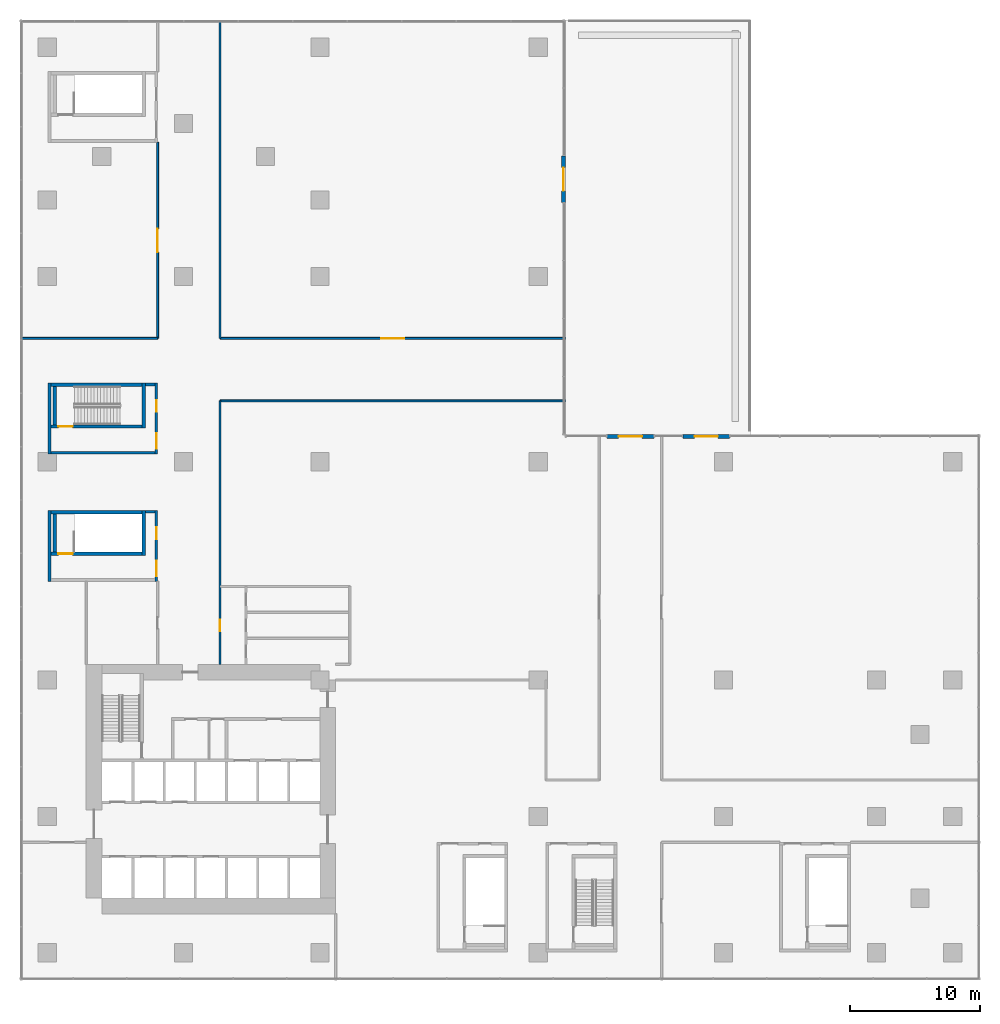
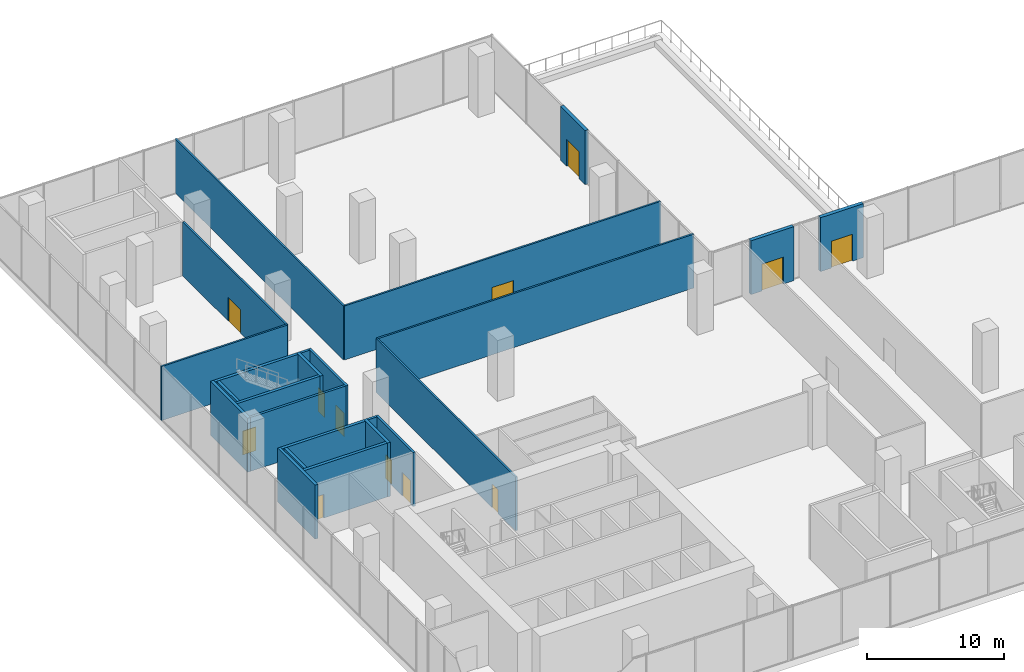
# One storey, part 15 of 21: 24 walls, 12 doors, 12 openings.
"""IFC4 building model written with IfcOpenShell, lengths in metres."""

from ifc_helpers import new_model, si_unit, direction, frame, frame_2d, origin, place, context, subcontext, project, spatial, rectangle, extrude, source, transform, mapped, material, layer, layer_set, type_object, element, fill, save


model = new_model("IFC4")

# Units and contexts
model_context = context("Model", 3, precision=1e-05, world=origin(), true_north=direction((0.0, 1.0)))
body_context = subcontext(model_context, "Body", "Model", "MODEL_VIEW")
ifc_project = project(units=[si_unit("LENGTHUNIT", "METRE"), si_unit("AREAUNIT", "SQUARE_METRE"), si_unit("VOLUMEUNIT", "CUBIC_METRE"), si_unit("PLANEANGLEUNIT", "RADIAN"), si_unit("MASSUNIT", "GRAM", prefix="KILO")], contexts=[model_context])

# Site, building, storey
site_placement = place(None, origin())
site = spatial("IfcSite", under=ifc_project, at=site_placement, CompositionType="ELEMENT")
building_placement = place(site_placement, origin())
building = spatial("IfcBuilding", under=site, at=building_placement, Name="Aurelian Terraces", CompositionType="ELEMENT")
storey_placement = place(building_placement, frame((0.0, 0.0, 29.1)))
storey = spatial("IfcBuildingStorey", under=building, at=storey_placement, Name="L05", CompositionType="ELEMENT", Elevation=29.1)

# Wall
ifc_material_1 = material(Name="Gypsum board on steel studs", Category="steel")
ifc_layer_1 = layer(ifc_material_1, 0.15)
ifc_layer_set_1 = layer_set([ifc_layer_1], Name="Special partition 150")
wall_type_1 = type_object("IfcWallType", Name="Special partition 150", PredefinedType="PARTITIONING", material=ifc_layer_set_1)
wall_1_placement = place(storey_placement, frame((13.3, 42.5, 0.0), z_axis=(0.0, 0.0, 1.0), x_axis=(1.0, 0.0, 0.0)))
element("IfcWall", 1, at=wall_1_placement, inside=storey, type_object=wall_type_1, Name="L05 partition W11", PredefinedType="PARTITIONING", context=body_context, shape_type="SweptSolid", body=[
    extrude(rectangle(XDim=26.6, YDim=0.15, at=frame_2d((13.3, 0.0))), origin(), (0.0, 0.0, 1.0), 4.8),
])

# Wall, opening, door
ifc_material_2 = material(Name="Terracotta rainscreen cladding", Category="masonry")
ifc_layer_2 = layer(ifc_material_2, 0.3)
ifc_layer_set_2 = layer_set([ifc_layer_2], Name="EW-300")
wall_type_2 = type_object("IfcWallType", Name="EW-300", PredefinedType="STANDARD", material=ifc_layer_set_2)
shared_shape_1 = source(origin(), body_context, "Body", "SweptSolid", [
    extrude(rectangle(XDim=3.6, YDim=0.3, at=frame_2d((1.8, 0.0))), origin(), (0.0, 0.0, 1.0), 4.8),
])
wall_2_placement = place(storey_placement, frame((52.54, 39.75, 0.0), z_axis=(0.0, 0.0, 1.0), x_axis=(-1.0, 0.0, 0.0)))
wall_2 = element("IfcWall", 2, at=wall_2_placement, inside=storey, type_object=wall_type_2, Name="Terrace wall L05 F03", PredefinedType="STANDARD", context=body_context, shape_type="MappedRepresentation", body=[
    mapped(shared_shape_1, transform((0.0, 0.0, 0.0), scale=1.0)),
])
shared_shape_2 = source(origin(), body_context, "Body", "SweptSolid", [
    extrude(rectangle(XDim=1.8, YDim=2.4, at=frame_2d((0.9, 1.2))), frame((0.0, 0.16, 0.0), z_axis=(0.0, -1.0, 0.0), x_axis=(1.0, 0.0, 0.0)), (0.0, 0.0, 1.0), 0.32),
])
opening_1_placement = place(wall_2_placement, frame((0.9, 0.0, 0.0)))
opening_1 = element("IfcOpeningElement", 3, at=opening_1_placement, cuts=wall_2, Name="Opening 80501", PredefinedType="OPENING", context=body_context, shape_type="MappedRepresentation", body=[
    mapped(shared_shape_2, transform((0.0, 0.0, 0.0), scale=1.0)),
])
ifc_material_3 = material(Name="Clear glazing", Category="glass")
door_type_1 = type_object("IfcDoorType", Name="BD-1800x2400", OperationType="SLIDING_TO_LEFT", PredefinedType="DOOR", material=ifc_material_3)
shared_shape_3 = source(origin(), body_context, "Body", "SweptSolid", [
    extrude(rectangle(XDim=1.8, YDim=2.4, at=frame_2d((0.9, 1.2))), frame((0.0, 0.025, 0.0), z_axis=(0.0, -1.0, 0.0), x_axis=(1.0, 0.0, 0.0)), (0.0, 0.0, 1.0), 0.05),
])
door_1_placement = place(opening_1_placement, origin())
door_1 = element("IfcDoor", 4, at=door_1_placement, inside=storey, type_object=door_type_1, Name="Terrace door L05 F03", OperationType="SLIDING_TO_LEFT", OverallHeight=2.4, OverallWidth=1.8, PredefinedType="DOOR", context=body_context, shape_type="MappedRepresentation", body=[
    mapped(shared_shape_3, transform((0.0, 0.0, 0.0), scale=1.0)),
])
fill(opening_1, door_1)

wall_3_placement = place(storey_placement, frame((46.7, 39.75, 0.0), z_axis=(0.0, 0.0, 1.0), x_axis=(-1.0, 0.0, 0.0)))
wall_3 = element("IfcWall", 5, at=wall_3_placement, inside=storey, type_object=wall_type_2, Name="Terrace wall L05 F03", PredefinedType="STANDARD", context=body_context, shape_type="MappedRepresentation", body=[
    mapped(shared_shape_1, transform((0.0, 0.0, 0.0), scale=1.0)),
])
opening_2_placement = place(wall_3_placement, frame((0.9, 0.0, 0.0)))
opening_2 = element("IfcOpeningElement", 6, at=opening_2_placement, cuts=wall_3, Name="Opening 80502", PredefinedType="OPENING", context=body_context, shape_type="MappedRepresentation", body=[
    mapped(shared_shape_2, transform((0.0, 0.0, 0.0), scale=1.0)),
])
door_2_placement = place(opening_2_placement, origin())
door_2 = element("IfcDoor", 7, at=door_2_placement, inside=storey, type_object=door_type_1, Name="Terrace door L05 F03", OperationType="SLIDING_TO_LEFT", OverallHeight=2.4, OverallWidth=1.8, PredefinedType="DOOR", context=body_context, shape_type="MappedRepresentation", body=[
    mapped(shared_shape_3, transform((0.0, 0.0, 0.0), scale=1.0)),
])
fill(opening_2, door_2)

wall_4_placement = place(storey_placement, frame((39.75, 57.76, 0.0), z_axis=(0.0, 0.0, 1.0), x_axis=(0.0, 1.0, 0.0)))
wall_4 = element("IfcWall", 8, at=wall_4_placement, inside=storey, type_object=wall_type_2, Name="Terrace wall L05 F04", PredefinedType="STANDARD", context=body_context, shape_type="MappedRepresentation", body=[
    mapped(shared_shape_1, transform((0.0, 0.0, 0.0), scale=1.0)),
])
opening_3_placement = place(wall_4_placement, frame((0.9, 0.0, 0.0)))
opening_3 = element("IfcOpeningElement", 9, at=opening_3_placement, cuts=wall_4, Name="Opening 80503", PredefinedType="OPENING", context=body_context, shape_type="MappedRepresentation", body=[
    mapped(shared_shape_2, transform((0.0, 0.0, 0.0), scale=1.0)),
])
door_3_placement = place(opening_3_placement, origin())
door_3 = element("IfcDoor", 10, at=door_3_placement, inside=storey, type_object=door_type_1, Name="Terrace door L05 F04", OperationType="SLIDING_TO_LEFT", OverallHeight=2.4, OverallWidth=1.8, PredefinedType="DOOR", context=body_context, shape_type="MappedRepresentation", body=[
    mapped(shared_shape_3, transform((0.0, 0.0, 0.0), scale=1.0)),
])
fill(opening_3, door_3)

ifc_material_4 = material(Name="Concrete fc' 40 MPa", Category="concrete")
ifc_layer_3 = layer(ifc_material_4, 0.25)
ifc_layer_set_3 = layer_set([ifc_layer_3], Name="Stair enclosure wall 250")
wall_type_3 = type_object("IfcWallType", Name="Stair enclosure wall 250", PredefinedType="SOLIDWALL", material=ifc_layer_set_3)
shared_shape_4 = source(origin(), body_context, "Body", "SweptSolid", [
    extrude(rectangle(XDim=7.0, YDim=0.25, at=frame_2d((3.5, 0.0))), origin(), (0.0, 0.0, 1.0), 4.8),
])
wall_5_placement = place(storey_placement, frame((0.3, 40.525, 0.0), z_axis=(0.0, 0.0, 1.0), x_axis=(1.0, 0.0, 0.0)))
wall_5 = element("IfcWall", 11, at=wall_5_placement, inside=storey, type_object=wall_type_3, Name="L05 core wall ST-S3-W", PredefinedType="SOLIDWALL", context=body_context, shape_type="MappedRepresentation", body=[
    mapped(shared_shape_4, transform((0.0, 0.0, 0.0), scale=1.0)),
])
shared_shape_5 = source(origin(), body_context, "Body", "SweptSolid", [
    extrude(rectangle(XDim=1.1, YDim=2.1, at=frame_2d((0.55, 1.05))), frame((0.0, 0.135, 0.0), z_axis=(0.0, -1.0, 0.0), x_axis=(1.0, 0.0, 0.0)), (0.0, 0.0, 1.0), 0.27),
])
opening_4_placement = place(wall_5_placement, frame((0.55, 0.0, 0.0)))
opening_4 = element("IfcOpeningElement", 12, at=opening_4_placement, cuts=wall_5, Name="Opening 60817", PredefinedType="OPENING", context=body_context, shape_type="MappedRepresentation", body=[
    mapped(shared_shape_5, transform((0.0, 0.0, 0.0), scale=1.0)),
])
ifc_material_5 = material(Name="Steel door leaf", Category="steel")
door_type_2 = type_object("IfcDoorType", Name="Core fire door 1100x2100 right", OperationType="SINGLE_SWING_RIGHT", PredefinedType="DOOR", material=ifc_material_5)
shared_shape_6 = source(origin(), body_context, "Body", "SweptSolid", [
    extrude(rectangle(XDim=1.1, YDim=2.1, at=frame_2d((0.55, 1.05))), frame((0.0, 0.025, 0.0), z_axis=(0.0, -1.0, 0.0), x_axis=(1.0, 0.0, 0.0)), (0.0, 0.0, 1.0), 0.05),
])
door_4_placement = place(opening_4_placement, origin())
door_4 = element("IfcDoor", 13, at=door_4_placement, inside=storey, type_object=door_type_2, Name="Stair door 60817", OperationType="SINGLE_SWING_RIGHT", OverallHeight=2.1, OverallWidth=1.1, PredefinedType="DOOR", context=body_context, shape_type="MappedRepresentation", body=[
    mapped(shared_shape_6, transform((0.0, 0.0, 0.0), scale=1.0)),
])
fill(opening_4, door_4)

# Wall
wall_6_placement = place(storey_placement, frame((0.3, 43.725, 0.0), z_axis=(0.0, 0.0, 1.0), x_axis=(1.0, 0.0, 0.0)))
element("IfcWall", 14, at=wall_6_placement, inside=storey, type_object=wall_type_3, Name="L05 core wall ST-S3-E", PredefinedType="SOLIDWALL", context=body_context, shape_type="MappedRepresentation", body=[
    mapped(shared_shape_4, transform((0.0, 0.0, 0.0), scale=1.0)),
])

# Wall, opening, door
wall_7_placement = place(storey_placement, frame((0.3, 30.725, 0.0), z_axis=(0.0, 0.0, 1.0), x_axis=(1.0, 0.0, 0.0)))
wall_7 = element("IfcWall", 15, at=wall_7_placement, inside=storey, type_object=wall_type_3, Name="L05 core wall ST-S4-W", PredefinedType="SOLIDWALL", context=body_context, shape_type="MappedRepresentation", body=[
    mapped(shared_shape_4, transform((0.0, 0.0, 0.0), scale=1.0)),
])
opening_5_placement = place(wall_7_placement, frame((0.55, 0.0, 0.0)))
opening_5 = element("IfcOpeningElement", 16, at=opening_5_placement, cuts=wall_7, Name="Opening 60820", PredefinedType="OPENING", context=body_context, shape_type="MappedRepresentation", body=[
    mapped(shared_shape_5, transform((0.0, 0.0, 0.0), scale=1.0)),
])
door_type_3 = type_object("IfcDoorType", Name="Core fire door 1100x2100", OperationType="SINGLE_SWING_LEFT", PredefinedType="DOOR", material=ifc_material_5)
door_5_placement = place(opening_5_placement, origin())
door_5 = element("IfcDoor", 17, at=door_5_placement, inside=storey, type_object=door_type_3, Name="Stair door 60820", OperationType="SINGLE_SWING_LEFT", OverallHeight=2.1, OverallWidth=1.1, PredefinedType="DOOR", context=body_context, shape_type="MappedRepresentation", body=[
    mapped(shared_shape_6, transform((0.0, 0.0, 0.0), scale=1.0)),
])
fill(opening_5, door_5)

# Walls
wall_8_placement = place(storey_placement, frame((0.3, 33.925, 0.0), z_axis=(0.0, 0.0, 1.0), x_axis=(1.0, 0.0, 0.0)))
element("IfcWall", 18, at=wall_8_placement, inside=storey, type_object=wall_type_3, Name="L05 core wall ST-S4-E", PredefinedType="SOLIDWALL", context=body_context, shape_type="MappedRepresentation", body=[
    mapped(shared_shape_4, transform((0.0, 0.0, 0.0), scale=1.0)),
])
shared_shape_7 = source(origin(), body_context, "Body", "SweptSolid", [
    extrude(rectangle(XDim=3.45, YDim=0.25, at=frame_2d((1.725, 0.0))), origin(), (0.0, 0.0, 1.0), 4.8),
])
for number, where, z_axis, x_axis, name in (
    (19, (7.425, 40.4, 0.0), (0.0, 0.0, 1.0), (0.0, 1.0, 0.0), "L05 core wall ST-S3-N"),
    (20, (7.425, 30.6, 0.0), (0.0, 0.0, 1.0), (0.0, 1.0, 0.0), "L05 core wall ST-S4-N"),
):
    element("IfcWall", number, at=place(storey_placement, frame(where, z_axis=z_axis, x_axis=x_axis)), inside=storey, type_object=wall_type_3, Name=name, PredefinedType="SOLIDWALL", context=body_context, shape_type="MappedRepresentation", body=[
        mapped(shared_shape_7, transform((0.0, 0.0, 0.0), scale=1.0)),
    ])
shared_shape_8 = source(origin(), body_context, "Body", "SweptSolid", [
    extrude(rectangle(XDim=2.95, YDim=0.25, at=frame_2d((1.475, 0.0))), origin(), (0.0, 0.0, 1.0), 4.8),
])
for number, where, z_axis, x_axis, name in (
    (21, (0.575, 40.65, 0.0), (0.0, 0.0, 1.0), (0.0, 1.0, 0.0), "L05 core wall ST-S3-SS"),
    (22, (0.575, 30.85, 0.0), (0.0, 0.0, 1.0), (0.0, 1.0, 0.0), "L05 core wall ST-S4-SS"),
):
    element("IfcWall", number, at=place(storey_placement, frame(where, z_axis=z_axis, x_axis=x_axis)), inside=storey, type_object=wall_type_3, Name=name, PredefinedType="SOLIDWALL", context=body_context, shape_type="MappedRepresentation", body=[
        mapped(shared_shape_8, transform((0.0, 0.0, 0.0), scale=1.0)),
    ])
ifc_layer_4 = layer(ifc_material_1, 0.2)
ifc_layer_set_4 = layer_set([ifc_layer_4], Name="Core partition 200")
wall_type_4 = type_object("IfcWallType", Name="Core partition 200", PredefinedType="PARTITIONING", material=ifc_layer_set_4)
shared_shape_9 = source(origin(), body_context, "Body", "SweptSolid", [
    extrude(rectangle(XDim=8.0, YDim=0.2, at=frame_2d((4.0, 0.0))), origin(), (0.0, 0.0, 1.0), 4.8),
])
wall_9_placement = place(storey_placement, frame((0.3, 38.5, 0.0), z_axis=(0.0, 0.0, 1.0), x_axis=(1.0, 0.0, 0.0)))
element("IfcWall", 23, at=wall_9_placement, inside=storey, type_object=wall_type_4, Name="L05 core wall ST-S3-VW", PredefinedType="PARTITIONING", context=body_context, shape_type="MappedRepresentation", body=[
    mapped(shared_shape_9, transform((0.0, 0.0, 0.0), scale=1.0)),
])

# Wall, openings, doors
shared_shape_10 = source(origin(), body_context, "Body", "SweptSolid", [
    extrude(rectangle(XDim=5.45, YDim=0.2, at=frame_2d((2.725, 0.0))), origin(), (0.0, 0.0, 1.0), 4.8),
])
wall_10_placement = place(storey_placement, frame((8.4, 38.4, 0.0), z_axis=(0.0, 0.0, 1.0), x_axis=(0.0, 1.0, 0.0)))
wall_10 = element("IfcWall", 24, at=wall_10_placement, inside=storey, type_object=wall_type_4, Name="L05 core wall ST-S3-BN", PredefinedType="PARTITIONING", context=body_context, shape_type="MappedRepresentation", body=[
    mapped(shared_shape_10, transform((0.0, 0.0, 0.0), scale=1.0)),
])
shared_shape_11 = source(origin(), body_context, "Body", "SweptSolid", [
    extrude(rectangle(XDim=1.2, YDim=2.1, at=frame_2d((0.6, 1.05))), frame((0.0, 0.11, 0.0), z_axis=(0.0, -1.0, 0.0), x_axis=(1.0, 0.0, 0.0)), (0.0, 0.0, 1.0), 0.22),
])
opening_6_placement = place(wall_10_placement, frame((0.4, 0.0, 0.0)))
opening_6 = element("IfcOpeningElement", 25, at=opening_6_placement, cuts=wall_10, Name="Opening 60818", PredefinedType="OPENING", context=body_context, shape_type="MappedRepresentation", body=[
    mapped(shared_shape_11, transform((0.0, 0.0, 0.0), scale=1.0)),
])
shared_shape_12 = source(origin(), body_context, "Body", "SweptSolid", [
    extrude(rectangle(XDim=0.9, YDim=2.1, at=frame_2d((0.45, 1.05))), frame((0.0, 0.11, 0.0), z_axis=(0.0, -1.0, 0.0), x_axis=(1.0, 0.0, 0.0)), (0.0, 0.0, 1.0), 0.22),
])
opening_7_placement = place(wall_10_placement, frame((3.25, 0.0, 0.0)))
opening_7 = element("IfcOpeningElement", 26, at=opening_7_placement, cuts=wall_10, Name="Opening 60819", PredefinedType="OPENING", context=body_context, shape_type="MappedRepresentation", body=[
    mapped(shared_shape_12, transform((0.0, 0.0, 0.0), scale=1.0)),
])
door_type_4 = type_object("IfcDoorType", Name="Core riser door 900x2100 right", OperationType="SINGLE_SWING_RIGHT", PredefinedType="DOOR", material=ifc_material_5)
shared_shape_13 = source(origin(), body_context, "Body", "SweptSolid", [
    extrude(rectangle(XDim=0.9, YDim=2.1, at=frame_2d((0.45, 1.05))), frame((0.0, 0.025, 0.0), z_axis=(0.0, -1.0, 0.0), x_axis=(1.0, 0.0, 0.0)), (0.0, 0.0, 1.0), 0.05),
])
door_6_placement = place(opening_7_placement, origin())
door_6 = element("IfcDoor", 27, at=door_6_placement, inside=storey, type_object=door_type_4, Name="Riser door 60819", OperationType="SINGLE_SWING_RIGHT", OverallHeight=2.1, OverallWidth=0.9, PredefinedType="DOOR", context=body_context, shape_type="MappedRepresentation", body=[
    mapped(shared_shape_13, transform((0.0, 0.0, 0.0), scale=1.0)),
])
fill(opening_7, door_6)
door_type_5 = type_object("IfcDoorType", Name="Core fire door 1200x2100", OperationType="SINGLE_SWING_LEFT", PredefinedType="DOOR", material=ifc_material_5)
shared_shape_14 = source(origin(), body_context, "Body", "SweptSolid", [
    extrude(rectangle(XDim=1.2, YDim=2.1, at=frame_2d((0.6, 1.05))), frame((0.0, 0.025, 0.0), z_axis=(0.0, -1.0, 0.0), x_axis=(1.0, 0.0, 0.0)), (0.0, 0.0, 1.0), 0.05),
])
door_7_placement = place(opening_6_placement, origin())
door_7 = element("IfcDoor", 28, at=door_7_placement, inside=storey, type_object=door_type_5, Name="Vestibule door 60818", OperationType="SINGLE_SWING_LEFT", OverallHeight=2.1, OverallWidth=1.2, PredefinedType="DOOR", context=body_context, shape_type="MappedRepresentation", body=[
    mapped(shared_shape_14, transform((0.0, 0.0, 0.0), scale=1.0)),
])
fill(opening_6, door_7)

wall_11_placement = place(storey_placement, frame((8.4, 28.6, 0.0), z_axis=(0.0, 0.0, 1.0), x_axis=(0.0, 1.0, 0.0)))
wall_11 = element("IfcWall", 29, at=wall_11_placement, inside=storey, type_object=wall_type_4, Name="L05 core wall ST-S4-BN", PredefinedType="PARTITIONING", context=body_context, shape_type="MappedRepresentation", body=[
    mapped(shared_shape_10, transform((0.0, 0.0, 0.0), scale=1.0)),
])
opening_8_placement = place(wall_11_placement, frame((0.4, 0.0, 0.0)))
opening_8 = element("IfcOpeningElement", 30, at=opening_8_placement, cuts=wall_11, Name="Opening 60821", PredefinedType="OPENING", context=body_context, shape_type="MappedRepresentation", body=[
    mapped(shared_shape_11, transform((0.0, 0.0, 0.0), scale=1.0)),
])
opening_9_placement = place(wall_11_placement, frame((3.25, 0.0, 0.0)))
opening_9 = element("IfcOpeningElement", 31, at=opening_9_placement, cuts=wall_11, Name="Opening 60822", PredefinedType="OPENING", context=body_context, shape_type="MappedRepresentation", body=[
    mapped(shared_shape_12, transform((0.0, 0.0, 0.0), scale=1.0)),
])
door_type_6 = type_object("IfcDoorType", Name="Core riser door 900x2100", OperationType="SINGLE_SWING_LEFT", PredefinedType="DOOR", material=ifc_material_5)
door_8_placement = place(opening_9_placement, origin())
door_8 = element("IfcDoor", 32, at=door_8_placement, inside=storey, type_object=door_type_6, Name="Riser door 60822", OperationType="SINGLE_SWING_LEFT", OverallHeight=2.1, OverallWidth=0.9, PredefinedType="DOOR", context=body_context, shape_type="MappedRepresentation", body=[
    mapped(shared_shape_13, transform((0.0, 0.0, 0.0), scale=1.0)),
])
fill(opening_9, door_8)
door_type_7 = type_object("IfcDoorType", Name="Core fire door 1200x2100 right", OperationType="SINGLE_SWING_RIGHT", PredefinedType="DOOR", material=ifc_material_5)
door_9_placement = place(opening_8_placement, origin())
door_9 = element("IfcDoor", 33, at=door_9_placement, inside=storey, type_object=door_type_7, Name="Vestibule door 60821", OperationType="SINGLE_SWING_RIGHT", OverallHeight=2.1, OverallWidth=1.2, PredefinedType="DOOR", context=body_context, shape_type="MappedRepresentation", body=[
    mapped(shared_shape_14, transform((0.0, 0.0, 0.0), scale=1.0)),
])
fill(opening_8, door_9)

# Walls
shared_shape_15 = source(origin(), body_context, "Body", "SweptSolid", [
    extrude(rectangle(XDim=0.75, YDim=0.2, at=frame_2d((0.375, 0.0))), origin(), (0.0, 0.0, 1.0), 4.8),
])
for number, where, z_axis, x_axis, name in (
    (34, (7.55, 43.75, 0.0), (0.0, 0.0, 1.0), (1.0, 0.0, 0.0), "L05 core wall ST-S3-RE"),
    (35, (7.55, 33.95, 0.0), (0.0, 0.0, 1.0), (1.0, 0.0, 0.0), "L05 core wall ST-S4-RE"),
):
    element("IfcWall", number, at=place(storey_placement, frame(where, z_axis=z_axis, x_axis=x_axis)), inside=storey, type_object=wall_type_4, Name=name, PredefinedType="PARTITIONING", context=body_context, shape_type="MappedRepresentation", body=[
        mapped(shared_shape_15, transform((0.0, 0.0, 0.0), scale=1.0)),
    ])
shared_shape_16 = source(origin(), body_context, "Body", "SweptSolid", [
    extrude(rectangle(XDim=5.45, YDim=0.25, at=frame_2d((2.725, 0.0))), origin(), (0.0, 0.0, 1.0), 4.8),
])
for number, where, z_axis, x_axis, name in (
    (36, (0.175, 38.4, 0.0), (0.0, 0.0, 1.0), (0.0, 1.0, 0.0), "L05 core wall ST-S3-S"),
    (37, (0.175, 28.6, 0.0), (0.0, 0.0, 1.0), (0.0, 1.0, 0.0), "L05 core wall ST-S4-S"),
):
    element("IfcWall", number, at=place(storey_placement, frame(where, z_axis=z_axis, x_axis=x_axis)), inside=storey, type_object=wall_type_3, Name=name, PredefinedType="SOLIDWALL", context=body_context, shape_type="MappedRepresentation", body=[
        mapped(shared_shape_16, transform((0.0, 0.0, 0.0), scale=1.0)),
    ])
shared_shape_17 = source(origin(), body_context, "Body", "SweptSolid", [
    extrude(rectangle(XDim=10.6, YDim=0.15, at=frame_2d((5.3, 0.0))), origin(), (0.0, 0.0, 1.0), 4.8),
])
wall_12_placement = place(storey_placement, frame((-2.1, 47.3, 0.0), z_axis=(0.0, 0.0, 1.0), x_axis=(1.0, 0.0, 0.0)))
element("IfcWall", 38, at=wall_12_placement, inside=storey, type_object=wall_type_1, Name="L05 partition W12", PredefinedType="PARTITIONING", context=body_context, shape_type="MappedRepresentation", body=[
    mapped(shared_shape_17, transform((0.0, 0.0, 0.0), scale=1.0)),
])

# Wall, opening, door
shared_shape_18 = source(origin(), body_context, "Body", "SweptSolid", [
    extrude(rectangle(XDim=15.1, YDim=0.15, at=frame_2d((7.55, 0.0))), origin(), (0.0, 0.0, 1.0), 4.8),
])
wall_13_placement = place(storey_placement, frame((8.5, 47.3, 0.0), z_axis=(0.0, 0.0, 1.0), x_axis=(0.0, 1.0, 0.0)))
wall_13 = element("IfcWall", 39, at=wall_13_placement, inside=storey, type_object=wall_type_1, Name="L05 partition W16", PredefinedType="PARTITIONING", context=body_context, shape_type="MappedRepresentation", body=[
    mapped(shared_shape_18, transform((0.0, 0.0, 0.0), scale=1.0)),
])
shared_shape_19 = source(origin(), body_context, "Body", "SweptSolid", [
    extrude(rectangle(XDim=1.8, YDim=2.1, at=frame_2d((0.9, 1.05))), frame((0.0, 0.085, 0.0), z_axis=(0.0, -1.0, 0.0), x_axis=(1.0, 0.0, 0.0)), (0.0, 0.0, 1.0), 0.17),
])
opening_10_placement = place(wall_13_placement, frame((6.65, 0.0, 0.0)))
opening_10 = element("IfcOpeningElement", 40, at=opening_10_placement, cuts=wall_13, Name="Opening 70804", PredefinedType="OPENING", context=body_context, shape_type="MappedRepresentation", body=[
    mapped(shared_shape_19, transform((0.0, 0.0, 0.0), scale=1.0)),
])
ifc_material_6 = material(Name="Timber door leaf", Category="wood")
door_type_8 = type_object("IfcDoorType", Name="Special double door 1800x2100", OperationType="DOUBLE_DOOR_SINGLE_SWING", PredefinedType="DOOR", material=ifc_material_6)
shared_shape_20 = source(origin(), body_context, "Body", "SweptSolid", [
    extrude(rectangle(XDim=1.8, YDim=2.1, at=frame_2d((0.9, 1.05))), frame((0.0, 0.025, 0.0), z_axis=(0.0, -1.0, 0.0), x_axis=(1.0, 0.0, 0.0)), (0.0, 0.0, 1.0), 0.05),
])
door_10_placement = place(opening_10_placement, origin())
door_10 = element("IfcDoor", 41, at=door_10_placement, inside=storey, type_object=door_type_8, Name="Door 70804", OperationType="DOUBLE_DOOR_SINGLE_SWING", OverallHeight=2.1, OverallWidth=1.8, PredefinedType="DOOR", context=body_context, shape_type="MappedRepresentation", body=[
    mapped(shared_shape_20, transform((0.0, 0.0, 0.0), scale=1.0)),
])
fill(opening_10, door_10)

shared_shape_21 = source(origin(), body_context, "Body", "SweptSolid", [
    extrude(rectangle(XDim=20.3, YDim=0.15, at=frame_2d((10.15, 0.0))), origin(), (0.0, 0.0, 1.0), 4.8),
])
wall_14_placement = place(storey_placement, frame((13.3, 22.2, 0.0), z_axis=(0.0, 0.0, 1.0), x_axis=(0.0, 1.0, 0.0)))
wall_14 = element("IfcWall", 42, at=wall_14_placement, inside=storey, type_object=wall_type_1, Name="L05 partition W18", PredefinedType="PARTITIONING", context=body_context, shape_type="MappedRepresentation", body=[
    mapped(shared_shape_21, transform((0.0, 0.0, 0.0), scale=1.0)),
])
shared_shape_22 = source(origin(), body_context, "Body", "SweptSolid", [
    extrude(rectangle(XDim=0.9, YDim=2.1, at=frame_2d((0.45, 1.05))), frame((0.0, 0.085, 0.0), z_axis=(0.0, -1.0, 0.0), x_axis=(1.0, 0.0, 0.0)), (0.0, 0.0, 1.0), 0.17),
])
opening_11_placement = place(wall_14_placement, frame((2.55, 0.0, 0.0)))
opening_11 = element("IfcOpeningElement", 43, at=opening_11_placement, cuts=wall_14, Name="Opening 70805", PredefinedType="OPENING", context=body_context, shape_type="MappedRepresentation", body=[
    mapped(shared_shape_22, transform((0.0, 0.0, 0.0), scale=1.0)),
])
door_type_9 = type_object("IfcDoorType", Name="Special door 900x2100 right", OperationType="SINGLE_SWING_RIGHT", PredefinedType="DOOR", material=ifc_material_6)
door_11_placement = place(opening_11_placement, origin())
door_11 = element("IfcDoor", 44, at=door_11_placement, inside=storey, type_object=door_type_9, Name="Door 70805", OperationType="SINGLE_SWING_RIGHT", OverallHeight=2.1, OverallWidth=0.9, PredefinedType="DOOR", context=body_context, shape_type="MappedRepresentation", body=[
    mapped(shared_shape_13, transform((0.0, 0.0, 0.0), scale=1.0)),
])
fill(opening_11, door_11)

# Wall
shared_shape_23 = source(origin(), body_context, "Body", "SweptSolid", [
    extrude(rectangle(XDim=24.52, YDim=0.15, at=frame_2d((12.26, 0.0))), origin(), (0.0, 0.0, 1.0), 4.8),
])
wall_15_placement = place(storey_placement, frame((13.3, 47.3, 0.0), z_axis=(0.0, 0.0, 1.0), x_axis=(0.0, 1.0, 0.0)))
element("IfcWall", 45, at=wall_15_placement, inside=storey, type_object=wall_type_1, Name="L05 partition W19", PredefinedType="PARTITIONING", context=body_context, shape_type="MappedRepresentation", body=[
    mapped(shared_shape_23, transform((0.0, 0.0, 0.0), scale=1.0)),
])

# Wall, opening, door
shared_shape_24 = source(origin(), body_context, "Body", "SweptSolid", [
    extrude(rectangle(XDim=26.6, YDim=0.15, at=frame_2d((13.3, 0.0))), origin(), (0.0, 0.0, 1.0), 4.8),
])
wall_16_placement = place(storey_placement, frame((13.3, 47.3, 0.0), z_axis=(0.0, 0.0, 1.0), x_axis=(1.0, 0.0, 0.0)))
wall_16 = element("IfcWall", 46, at=wall_16_placement, inside=storey, type_object=wall_type_1, Name="L05 partition W13", PredefinedType="PARTITIONING", context=body_context, shape_type="MappedRepresentation", body=[
    mapped(shared_shape_24, transform((0.0, 0.0, 0.0), scale=1.0)),
])
opening_12_placement = place(wall_16_placement, frame((12.4, 0.0, 0.0)))
opening_12 = element("IfcOpeningElement", 47, at=opening_12_placement, cuts=wall_16, Name="Opening 70802", PredefinedType="OPENING", context=body_context, shape_type="MappedRepresentation", body=[
    mapped(shared_shape_19, transform((0.0, 0.0, 0.0), scale=1.0)),
])
door_12_placement = place(opening_12_placement, origin())
door_12 = element("IfcDoor", 48, at=door_12_placement, inside=storey, type_object=door_type_8, Name="Door 70802", OperationType="DOUBLE_DOOR_SINGLE_SWING", OverallHeight=2.1, OverallWidth=1.8, PredefinedType="DOOR", context=body_context, shape_type="MappedRepresentation", body=[
    mapped(shared_shape_20, transform((0.0, 0.0, 0.0), scale=1.0)),
])
fill(opening_12, door_12)

save(model, "model.ifc")
